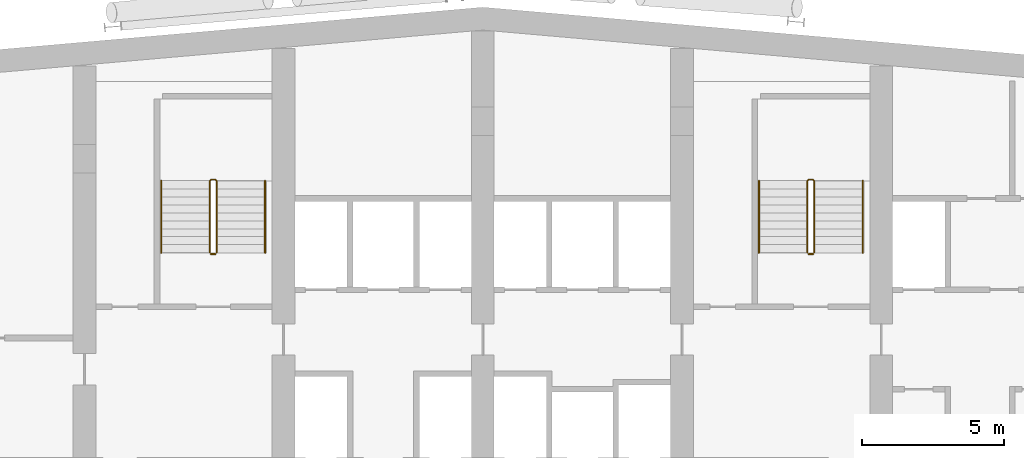
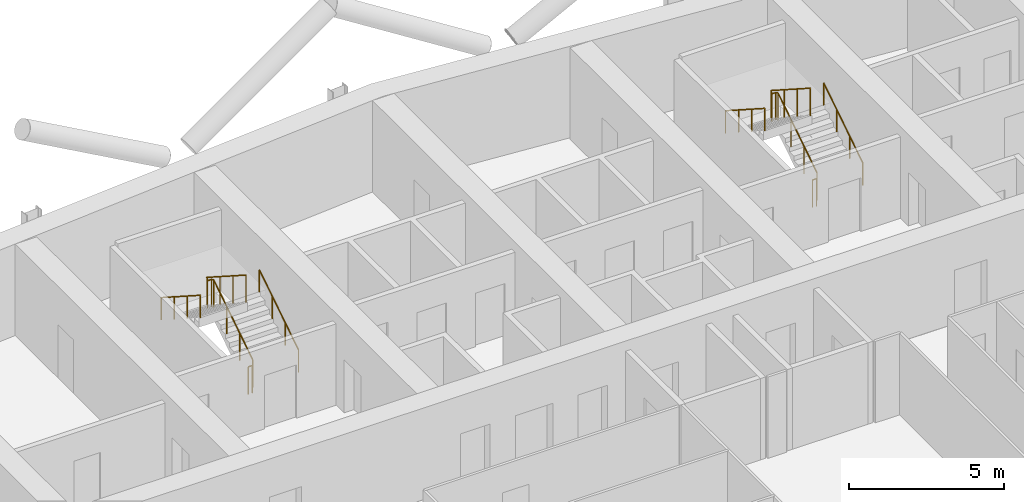
# One storey, part 26 of 26: 8 railings.
"""IFC4 building model written with IfcOpenShell, lengths in metres."""

from ifc_helpers import new_model, si_unit, direction, frame, origin, origin_2d, place, context, subcontext, project, spatial, circle, extrude, material, type_object, element, save


model = new_model("IFC4")

# Units and contexts
model_context = context("Model", 3, precision=1e-05, world=origin(), true_north=direction((0.0, 1.0)))
body_context = subcontext(model_context, "Body", "Model", "MODEL_VIEW")
ifc_project = project(units=[si_unit("LENGTHUNIT", "METRE"), si_unit("AREAUNIT", "SQUARE_METRE"), si_unit("VOLUMEUNIT", "CUBIC_METRE"), si_unit("PLANEANGLEUNIT", "RADIAN"), si_unit("MASSUNIT", "GRAM", prefix="KILO")], contexts=[model_context])

# Site, building, storey
site_placement = place(None, origin())
site = spatial("IfcSite", under=ifc_project, at=site_placement, CompositionType="ELEMENT")
building_placement = place(site_placement, origin())
building = spatial("IfcBuilding", under=site, at=building_placement, Name="Wharfspan Tower", CompositionType="ELEMENT")
storey_placement = place(building_placement, frame((0.0, 0.0, 173.5)))
storey = spatial("IfcBuildingStorey", under=building, at=storey_placement, Name="L42", CompositionType="ELEMENT", Elevation=173.5)

# Railings
ifc_material = material(Name="Steel S355J2", Category="steel")
railing_type_1 = type_object("IfcRailingType", Name="Stair guard 1100", PredefinedType="GUARDRAIL", material=ifc_material)
railing_1_placement = place(storey_placement, frame((27.649902, 42.0, 0.179932)))
element("IfcRailing", 1, at=railing_1_placement, inside=storey, type_object=railing_type_1, Name="L42 ST1 stair guard 1", PredefinedType="GUARDRAIL", context=body_context, shape_type="SweptSolid", body=[
    extrude(circle(Radius=0.023926, at=origin_2d()), frame((0.0, 0.0, 1.076172), z_axis=(0.0, 0.841163, 0.540782), x_axis=(-1.0, 0.0, 0.0)), (0.0, 0.0, 1.0), 2.99585),
    extrude(circle(Radius=0.023926, at=origin_2d()), frame((0.0, 2.52002, 2.696289), z_axis=(-0.705376, 0.708834, 0.0), x_axis=(-0.708834, -0.705376, 0.0)), (0.0, 0.0, 1.0), 0.070557),
    extrude(circle(Radius=0.023926, at=origin_2d()), frame((-0.049805, 2.570068, 2.696289), z_axis=(-1.0, 0.0, 0.0), x_axis=(0.0, -1.0, 0.0)), (0.0, 0.0, 1.0), 0.150146),
    extrude(circle(Radius=0.023926, at=origin_2d()), frame((-0.199951, 2.570068, 2.696289), z_axis=(-0.258848, -0.258848, 0.930589), x_axis=(0.707107, -0.707107, 0.0)), (0.0, 0.0, 1.0), 0.193359),
    extrude(circle(Radius=0.023926, at=origin_2d()), frame((-0.25, 2.52002, 2.875977), z_axis=(0.0, -0.841163, 0.540782), x_axis=(1.0, 0.0, 0.0)), (0.0, 0.0, 1.0), 2.99585),
    extrude(circle(Radius=0.020996, at=origin_2d()), origin(), (0.0, 0.0, 1.0), 1.052002),
    extrude(circle(Radius=0.020996, at=origin_2d()), frame((0.0, 0.840088, 0.540039)), (0.0, 0.0, 1.0), 1.052002),
    extrude(circle(Radius=0.020996, at=origin_2d()), frame((0.0, 1.679932, 1.080078)), (0.0, 0.0, 1.0), 1.052002),
    extrude(circle(Radius=0.020996, at=origin_2d()), frame((0.0, 2.52002, 1.620117)), (0.0, 0.0, 1.0), 1.052002),
    extrude(circle(Radius=0.020996, at=origin_2d()), frame((-0.049805, 2.570068, 1.620117)), (0.0, 0.0, 1.0), 1.052002),
    extrude(circle(Radius=0.020996, at=origin_2d()), frame((-0.199951, 2.570068, 1.620117)), (0.0, 0.0, 1.0), 1.052002),
    extrude(circle(Radius=0.020996, at=origin_2d()), frame((-0.25, 2.52002, 1.800049)), (0.0, 0.0, 1.0), 1.052002),
    extrude(circle(Radius=0.020996, at=origin_2d()), frame((-0.25, 1.679932, 2.340088)), (0.0, 0.0, 1.0), 1.052002),
    extrude(circle(Radius=0.020996, at=origin_2d()), frame((-0.25, 0.840088, 2.880127)), (0.0, 0.0, 1.0), 1.052002),
    extrude(circle(Radius=0.020996, at=origin_2d()), frame((-0.25, 0.0, 3.420166)), (0.0, 0.0, 1.0), 1.052002),
])
railing_2_placement = place(storey_placement, frame((27.600098, 41.949951, 0.0)))
element("IfcRailing", 2, at=railing_2_placement, inside=storey, type_object=railing_type_1, Name="L42 ST1 stair guard 2", PredefinedType="GUARDRAIL", context=body_context, shape_type="SweptSolid", body=[
    extrude(circle(Radius=0.023926, at=origin_2d()), frame((0.0, 0.0, 1.076172), z_axis=(-1.0, 0.0, 0.0), x_axis=(0.0, -1.0, 0.0)), (0.0, 0.0, 1.0), 0.150146),
    extrude(circle(Radius=0.020996, at=origin_2d()), origin(), (0.0, 0.0, 1.0), 1.052002),
    extrude(circle(Radius=0.020996, at=origin_2d()), frame((-0.150146, 0.0, 0.0)), (0.0, 0.0, 1.0), 1.052002),
])
railing_3_placement = place(storey_placement, frame((48.649902, 42.0, 0.179932)))
element("IfcRailing", 3, at=railing_3_placement, inside=storey, type_object=railing_type_1, Name="L42 ST2 stair guard 1", PredefinedType="GUARDRAIL", context=body_context, shape_type="SweptSolid", body=[
    extrude(circle(Radius=0.023926, at=origin_2d()), frame((0.0, 0.0, 1.076172), z_axis=(0.0, 0.841163, 0.540782), x_axis=(-1.0, 0.0, 0.0)), (0.0, 0.0, 1.0), 2.99585),
    extrude(circle(Radius=0.023926, at=origin_2d()), frame((0.0, 2.52002, 2.696289), z_axis=(-0.705376, 0.708834, 0.0), x_axis=(-0.708834, -0.705376, 0.0)), (0.0, 0.0, 1.0), 0.070557),
    extrude(circle(Radius=0.023926, at=origin_2d()), frame((-0.049805, 2.570068, 2.696289), z_axis=(-1.0, 0.0, 0.0), x_axis=(0.0, -1.0, 0.0)), (0.0, 0.0, 1.0), 0.150146),
    extrude(circle(Radius=0.023926, at=origin_2d()), frame((-0.199951, 2.570068, 2.696289), z_axis=(-0.258848, -0.258848, 0.930589), x_axis=(0.707107, -0.707107, 0.0)), (0.0, 0.0, 1.0), 0.193359),
    extrude(circle(Radius=0.023926, at=origin_2d()), frame((-0.25, 2.52002, 2.875977), z_axis=(0.0, -0.841163, 0.540782), x_axis=(1.0, 0.0, 0.0)), (0.0, 0.0, 1.0), 2.99585),
    extrude(circle(Radius=0.020996, at=origin_2d()), origin(), (0.0, 0.0, 1.0), 1.052002),
    extrude(circle(Radius=0.020996, at=origin_2d()), frame((0.0, 0.840088, 0.540039)), (0.0, 0.0, 1.0), 1.052002),
    extrude(circle(Radius=0.020996, at=origin_2d()), frame((0.0, 1.679932, 1.080078)), (0.0, 0.0, 1.0), 1.052002),
    extrude(circle(Radius=0.020996, at=origin_2d()), frame((0.0, 2.52002, 1.620117)), (0.0, 0.0, 1.0), 1.052002),
    extrude(circle(Radius=0.020996, at=origin_2d()), frame((-0.049805, 2.570068, 1.620117)), (0.0, 0.0, 1.0), 1.052002),
    extrude(circle(Radius=0.020996, at=origin_2d()), frame((-0.199951, 2.570068, 1.620117)), (0.0, 0.0, 1.0), 1.052002),
    extrude(circle(Radius=0.020996, at=origin_2d()), frame((-0.25, 2.52002, 1.800049)), (0.0, 0.0, 1.0), 1.052002),
    extrude(circle(Radius=0.020996, at=origin_2d()), frame((-0.25, 1.679932, 2.340088)), (0.0, 0.0, 1.0), 1.052002),
    extrude(circle(Radius=0.020996, at=origin_2d()), frame((-0.25, 0.840088, 2.880127)), (0.0, 0.0, 1.0), 1.052002),
    extrude(circle(Radius=0.020996, at=origin_2d()), frame((-0.25, 0.0, 3.420166)), (0.0, 0.0, 1.0), 1.052002),
])
railing_4_placement = place(storey_placement, frame((48.600098, 41.949951, 0.0)))
element("IfcRailing", 4, at=railing_4_placement, inside=storey, type_object=railing_type_1, Name="L42 ST2 stair guard 2", PredefinedType="GUARDRAIL", context=body_context, shape_type="SweptSolid", body=[
    extrude(circle(Radius=0.023926, at=origin_2d()), frame((0.0, 0.0, 1.076172), z_axis=(-1.0, 0.0, 0.0), x_axis=(0.0, -1.0, 0.0)), (0.0, 0.0, 1.0), 0.150146),
    extrude(circle(Radius=0.020996, at=origin_2d()), origin(), (0.0, 0.0, 1.0), 1.052002),
    extrude(circle(Radius=0.020996, at=origin_2d()), frame((-0.150146, 0.0, 0.0)), (0.0, 0.0, 1.0), 1.052002),
])
railing_type_2 = type_object("IfcRailingType", Name="Stair handrail 900", PredefinedType="HANDRAIL", material=ifc_material)
railing_5_placement = place(storey_placement, frame((29.350098, 42.0, 0.179932)))
element("IfcRailing", 5, at=railing_5_placement, inside=storey, type_object=railing_type_2, Name="L42 ST1 stair handrail 1", PredefinedType="HANDRAIL", context=body_context, shape_type="SweptSolid", body=[
    extrude(circle(Radius=0.023926, at=origin_2d()), frame((0.0, 0.0, 0.875977), z_axis=(0.0, 0.841163, 0.540782), x_axis=(-1.0, 0.0, 0.0)), (0.0, 0.0, 1.0), 2.99585),
    extrude(circle(Radius=0.020996, at=origin_2d()), origin(), (0.0, 0.0, 1.0), 0.851807),
    extrude(circle(Radius=0.020996, at=origin_2d()), frame((0.0, 0.840088, 0.540039)), (0.0, 0.0, 1.0), 0.851807),
    extrude(circle(Radius=0.020996, at=origin_2d()), frame((0.0, 1.679932, 1.080078)), (0.0, 0.0, 1.0), 0.851807),
    extrude(circle(Radius=0.020996, at=origin_2d()), frame((0.0, 2.52002, 1.620117)), (0.0, 0.0, 1.0), 0.851807),
])
railing_6_placement = place(storey_placement, frame((25.699951, 44.52002, 1.97998)))
element("IfcRailing", 6, at=railing_6_placement, inside=storey, type_object=railing_type_2, Name="L42 ST1 stair handrail 2", PredefinedType="HANDRAIL", context=body_context, shape_type="SweptSolid", body=[
    extrude(circle(Radius=0.023926, at=origin_2d()), frame((0.0, 0.0, 0.875977), z_axis=(0.0, -0.841163, 0.540782), x_axis=(1.0, 0.0, 0.0)), (0.0, 0.0, 1.0), 2.99585),
    extrude(circle(Radius=0.020996, at=origin_2d()), origin(), (0.0, 0.0, 1.0), 0.851807),
    extrude(circle(Radius=0.020996, at=origin_2d()), frame((0.0, -0.840088, 0.540039)), (0.0, 0.0, 1.0), 0.851807),
    extrude(circle(Radius=0.020996, at=origin_2d()), frame((0.0, -1.679932, 1.080078)), (0.0, 0.0, 1.0), 0.851807),
    extrude(circle(Radius=0.020996, at=origin_2d()), frame((0.0, -2.52002, 1.620117)), (0.0, 0.0, 1.0), 0.851807),
])
railing_7_placement = place(storey_placement, frame((50.350098, 42.0, 0.179932)))
element("IfcRailing", 7, at=railing_7_placement, inside=storey, type_object=railing_type_2, Name="L42 ST2 stair handrail 1", PredefinedType="HANDRAIL", context=body_context, shape_type="SweptSolid", body=[
    extrude(circle(Radius=0.023926, at=origin_2d()), frame((0.0, 0.0, 0.875977), z_axis=(0.0, 0.841163, 0.540782), x_axis=(-1.0, 0.0, 0.0)), (0.0, 0.0, 1.0), 2.99585),
    extrude(circle(Radius=0.020996, at=origin_2d()), origin(), (0.0, 0.0, 1.0), 0.851807),
    extrude(circle(Radius=0.020996, at=origin_2d()), frame((0.0, 0.840088, 0.540039)), (0.0, 0.0, 1.0), 0.851807),
    extrude(circle(Radius=0.020996, at=origin_2d()), frame((0.0, 1.679932, 1.080078)), (0.0, 0.0, 1.0), 0.851807),
    extrude(circle(Radius=0.020996, at=origin_2d()), frame((0.0, 2.52002, 1.620117)), (0.0, 0.0, 1.0), 0.851807),
])
railing_8_placement = place(storey_placement, frame((46.699951, 44.52002, 1.97998)))
element("IfcRailing", 8, at=railing_8_placement, inside=storey, type_object=railing_type_2, Name="L42 ST2 stair handrail 2", PredefinedType="HANDRAIL", context=body_context, shape_type="SweptSolid", body=[
    extrude(circle(Radius=0.023926, at=origin_2d()), frame((0.0, 0.0, 0.875977), z_axis=(0.0, -0.841163, 0.540782), x_axis=(1.0, 0.0, 0.0)), (0.0, 0.0, 1.0), 2.99585),
    extrude(circle(Radius=0.020996, at=origin_2d()), origin(), (0.0, 0.0, 1.0), 0.851807),
    extrude(circle(Radius=0.020996, at=origin_2d()), frame((0.0, -0.840088, 0.540039)), (0.0, 0.0, 1.0), 0.851807),
    extrude(circle(Radius=0.020996, at=origin_2d()), frame((0.0, -1.679932, 1.080078)), (0.0, 0.0, 1.0), 0.851807),
    extrude(circle(Radius=0.020996, at=origin_2d()), frame((0.0, -2.52002, 1.620117)), (0.0, 0.0, 1.0), 0.851807),
])

save(model, "model.ifc")
